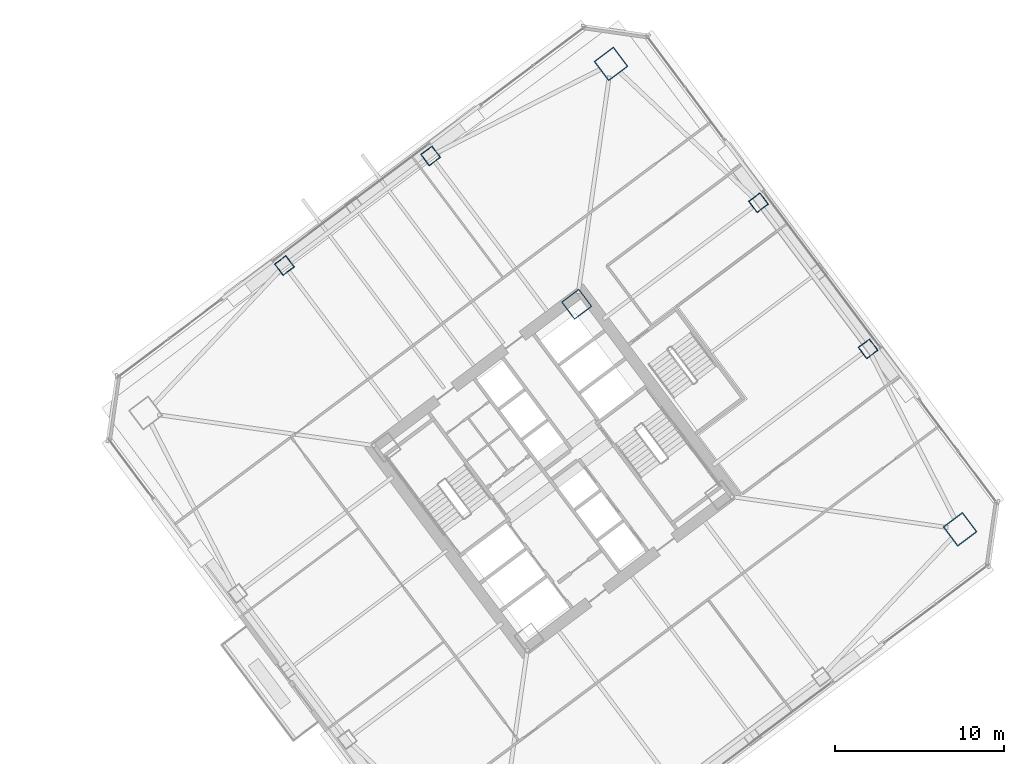
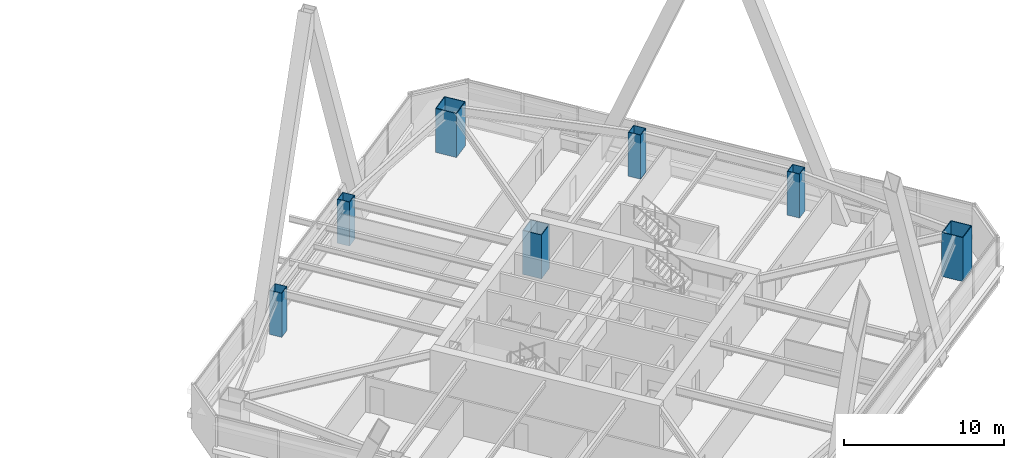
# One storey, part 2 of 54: 7 columns.
"""IFC4 building model written with IfcOpenShell, lengths in metres."""

from ifc_helpers import new_model, si_unit, direction, frame, origin, origin_2d, place, context, subcontext, project, spatial, hollow_rectangle, extrude, material, material_profile, profile_set, type_object, element, save


model = new_model("IFC4")

# Units and contexts
model_context = context("Model", 3, precision=1e-05, world=origin(), true_north=direction((0.0, 1.0)))
body_context = subcontext(model_context, "Body", "Model", "MODEL_VIEW")
ifc_project = project(units=[si_unit("LENGTHUNIT", "METRE"), si_unit("AREAUNIT", "SQUARE_METRE"), si_unit("VOLUMEUNIT", "CUBIC_METRE"), si_unit("PLANEANGLEUNIT", "RADIAN"), si_unit("MASSUNIT", "GRAM", prefix="KILO")], contexts=[model_context])

# Site, building, storey
site_placement = place(None, origin())
site = spatial("IfcSite", under=ifc_project, at=site_placement, CompositionType="ELEMENT")
building_placement = place(site_placement, origin())
building = spatial("IfcBuilding", under=site, at=building_placement, Name="Tashvorn Skyway Center", CompositionType="ELEMENT")
storey_placement = place(building_placement, frame((0.0, 0.0, 88.5)))
storey = spatial("IfcBuildingStorey", under=building, at=storey_placement, Name="L23", CompositionType="ELEMENT", Elevation=88.5)

# Columns
ifc_material = material(Name="Steel ASTM A572 Grade 50", Category="steel")
ifc_material_profile_1 = material_profile(ifc_material, hollow_rectangle(XDim=1.300048828125, YDim=1.300048828125, WallThickness=0.050048828125, at=origin_2d()), Name="BOX1300x1300x50")
ifc_profile_set_1 = profile_set([ifc_material_profile_1], Name="Steel ASTM A572 Grade 50")
column_type_1 = type_object("IfcColumnType", Name="COL-BOX1300x1300x50", PredefinedType="COLUMN", material=ifc_profile_set_1)
column_placement = place(storey_placement, frame((115.409912109375, 41.8701171875, 0.0), z_axis=(0.0, 0.0, 1.0), x_axis=(0.799999996291, 0.600000004945, 0.0)))
element("IfcColumn", 1, at=column_placement, inside=storey, type_object=column_type_1, Name="Tower 2 L23 Core Corner Column CC-NE", PredefinedType="COLUMN", context=body_context, shape_type="SweptSolid", body=[
    extrude(hollow_rectangle(XDim=1.300048828125, YDim=1.300048828125, WallThickness=0.050048828125, at=origin_2d()), origin(), (0.0, 0.0, 1.0), 3.35009765625),
])
ifc_material_profile_2 = material_profile(ifc_material, hollow_rectangle(XDim=1.449951171875, YDim=1.449951171875, WallThickness=0.054931640625, at=origin_2d()), Name="BOX1450x1450x55")
ifc_profile_set_2 = profile_set([ifc_material_profile_2], Name="Steel ASTM A572 Grade 50")
column_type_2 = type_object("IfcColumnType", Name="COL-BOX1450x1450x55", PredefinedType="COLUMN", material=ifc_profile_set_2)
for number, where, z_axis, x_axis, name in (
    (2, (138.080078125, 28.56005859375, 0.0), (0.0, 0.0, 1.0), (0.799999996291, 0.600000004945, 0.0), "Tower 2 L23 Mega-Column MC-SE"),
    (3, (117.43994140625, 56.080078125, 0.0), (0.0, 0.0, 1.0), (0.799999996291, 0.600000004945, 0.0), "Tower 2 L23 Mega-Column MC-NE"),
):
    element("IfcColumn", number, at=place(storey_placement, frame(where, z_axis=z_axis, x_axis=x_axis)), inside=storey, type_object=column_type_2, Name=name, PredefinedType="COLUMN", context=body_context, shape_type="SweptSolid", body=[
        extrude(hollow_rectangle(XDim=1.449951171875, YDim=1.449951171875, WallThickness=0.054931640625, at=origin_2d()), origin(), (0.0, 0.0, 1.0), 3.35009765625),
    ])
ifc_material_profile_3 = material_profile(ifc_material, hollow_rectangle(XDim=0.85009765625, YDim=0.85009765625, WallThickness=0.034912109375, at=origin_2d()), Name="BOX850x850x35")
ifc_profile_set_3 = profile_set([ifc_material_profile_3], Name="Steel ASTM A572 Grade 50")
column_type_3 = type_object("IfcColumnType", Name="COL-BOX850x850x35", PredefinedType="COLUMN", material=ifc_profile_set_3)
for number, where, z_axis, x_axis, name in (
    (4, (132.639892578125, 39.22998046875, 0.0), (0.0, 0.0, 1.0), (0.799999996291, 0.600000004945, 0.0), "Tower 2 L23 Perimeter Column FC-E1"),
    (5, (126.159912109375, 47.8701171875, 0.0), (0.0, 0.0, 1.0), (0.799999996291, 0.600000004945, 0.0), "Tower 2 L23 Perimeter Column FC-E2"),
    (6, (106.77001953125, 50.639892578125, 0.0), (0.0, 0.0, 1.0), (0.799999996291, 0.600000004945, 0.0), "Tower 2 L23 Perimeter Column FC-N1"),
    (7, (98.1298828125, 44.159912109375, 0.0), (0.0, 0.0, 1.0), (0.799999996291, 0.600000004945, 0.0), "Tower 2 L23 Perimeter Column FC-N2"),
):
    element("IfcColumn", number, at=place(storey_placement, frame(where, z_axis=z_axis, x_axis=x_axis)), inside=storey, type_object=column_type_3, Name=name, PredefinedType="COLUMN", context=body_context, shape_type="SweptSolid", body=[
        extrude(hollow_rectangle(XDim=0.85009765625, YDim=0.85009765625, WallThickness=0.034912109375, at=origin_2d()), origin(), (0.0, 0.0, 1.0), 3.35009765625),
    ])

save(model, "model.ifc")
